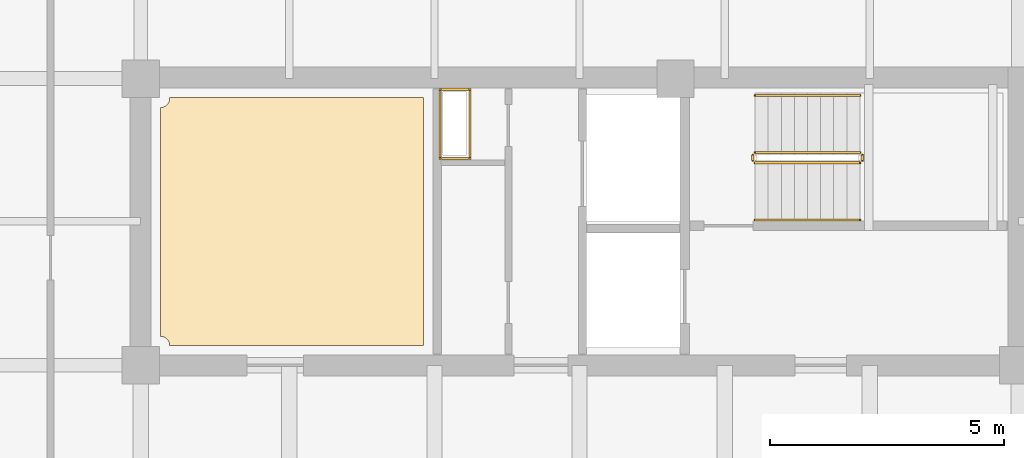
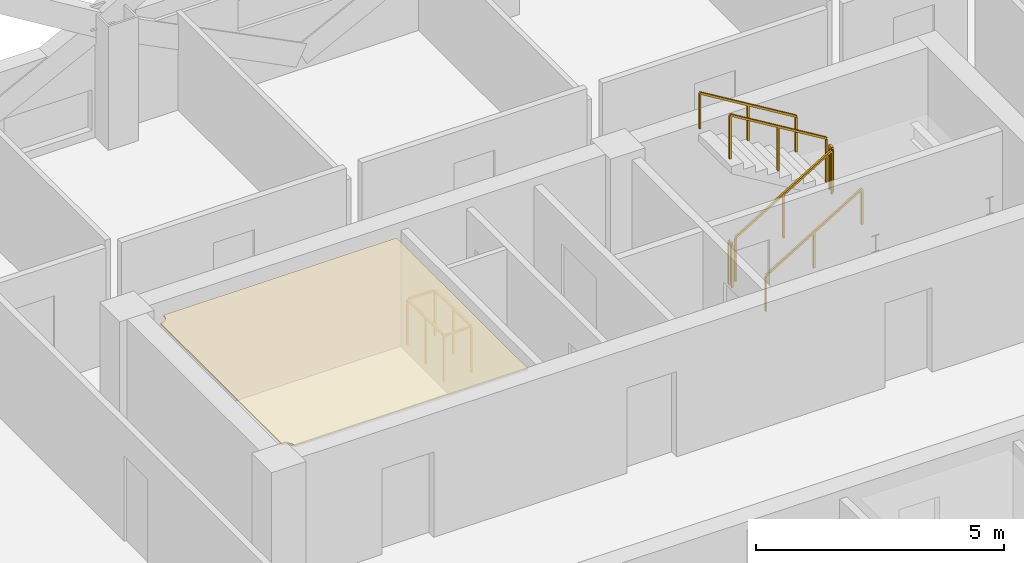
# One storey, part 8 of 9: 7 railings, 1 covering.
"""IFC4 building model written with IfcOpenShell, lengths in metres."""

from ifc_helpers import new_model, si_unit, direction, frame, origin, origin_2d, place, context, subcontext, project, spatial, polyline, rectangle, outline, extrude, material, layer, layer_set, type_object, element, save


model = new_model("IFC4")

# Units and contexts
model_context = context("Model", 3, precision=1e-05, world=origin(), true_north=direction((0.0, 1.0)))
body_context = subcontext(model_context, "Body", "Model", "MODEL_VIEW")
ifc_project = project(units=[si_unit("LENGTHUNIT", "METRE"), si_unit("AREAUNIT", "SQUARE_METRE"), si_unit("VOLUMEUNIT", "CUBIC_METRE"), si_unit("PLANEANGLEUNIT", "RADIAN"), si_unit("MASSUNIT", "GRAM", prefix="KILO")], contexts=[model_context])

# Site, building, storey
site_placement = place(None, origin())
site = spatial("IfcSite", under=ifc_project, at=site_placement, CompositionType="ELEMENT")
building_placement = place(site_placement, origin())
building = spatial("IfcBuilding", under=site, at=building_placement, Name="Qhalaya Broadcast Tower", CompositionType="ELEMENT")
storey_placement = place(building_placement, frame((0.0, 0.0, 211.699951171875)))
storey = spatial("IfcBuildingStorey", under=building, at=storey_placement, Name="L62", CompositionType="ELEMENT", Elevation=211.699951171875)

# Covering
ifc_material_1 = material(Name="Acoustic Mineral-Fibre Ceiling")
ifc_layer = layer(ifc_material_1, 0.0400390625, Name="Acoustic Mineral-Fibre Ceiling")
ifc_layer_set = layer_set([ifc_layer], Name="Acoustic Mineral-Fibre Ceiling")
covering_type = type_object("IfcCoveringType", Name="Acoustic Mineral-Fibre Suspended Ceiling CLG-01", PredefinedType="CEILING", material=ifc_layer_set)
covering_placement = place(storey_placement, frame((0.0, 0.0, 2.820068359375)))
element("IfcCovering", 1, at=covering_placement, inside=storey, type_object=covering_type, Name="L62 Acoustic Suspended Ceiling 01", PredefinedType="CEILING", context=body_context, shape_type="SweptSolid", body=[
    extrude(outline(polyline([(-8.756103515625, 4.2646484375), (-8.755126953125, 4.25), (-3.330078125, 4.25), (-3.330078125, 9.550048828125), (-8.7548828125, 9.550048828125), (-8.7548828125, 9.530029296875), (-8.756103515625, 9.510498046875), (-8.7587890625, 9.490966796875), (-8.763671875, 9.471923828125), (-8.770263671875, 9.45361328125), (-8.778564453125, 9.435791015625), (-8.788818359375, 9.4189453125), (-8.80029296875, 9.403076171875), (-8.813720703125, 9.388671875), (-8.828125, 9.37548828125), (-8.843994140625, 9.36376953125), (-8.860595703125, 9.353515625), (-8.87841796875, 9.34521484375), (-8.89697265625, 9.338623046875), (-8.916015625, 9.333740234375), (-8.935302734375, 9.3310546875), (-8.949951171875, 9.330078125), (-8.949951171875, 4.44482421875), (-8.935302734375, 4.444091796875), (-8.916015625, 4.441162109375), (-8.89697265625, 4.436279296875), (-8.87841796875, 4.4296875), (-8.860595703125, 4.42138671875), (-8.843994140625, 4.411376953125), (-8.828125, 4.399658203125), (-8.813720703125, 4.386474609375), (-8.80029296875, 4.371826171875), (-8.788818359375, 4.356201171875), (-8.778564453125, 4.33935546875), (-8.770263671875, 4.321533203125), (-8.763671875, 4.302978515625), (-8.7587890625, 4.283935546875), (-8.756103515625, 4.2646484375)])), origin(), (0.0, 0.0, 1.0), 0.0400390625),
])

# Railings
ifc_material_2 = material(Name="Powder-Coated Galvanised Steel", Category="steel")
railing_type_1 = type_object("IfcRailingType", Name="Stair Wall Handrail 900", PredefinedType="HANDRAIL", material=ifc_material_2)
railing_1_placement = place(storey_placement, frame((3.75, 6.929931640625, 0.16943359375)))
element("IfcRailing", 2, at=railing_1_placement, inside=storey, type_object=railing_type_1, Name="L62 ST-1 Stair Handrail 1", PredefinedType="HANDRAIL", context=body_context, shape_type="SweptSolid", body=[
    extrude(rectangle(XDim=0.048095703125, YDim=0.048095703125, at=origin_2d()), frame((0.0, 0.0, 0.8759765625), z_axis=(0.855512035549, 0.0, 0.517782924622), x_axis=(0.0, 1.0, 0.0)), (0.0, 0.0, 1.0), 2.618408203125),
    extrude(rectangle(XDim=0.0419921875, YDim=0.0419921875, at=origin_2d()), origin(), (0.0, 0.0, 1.0), 0.849853515625),
    extrude(rectangle(XDim=0.0419921875, YDim=0.0419921875, at=origin_2d()), frame((1.1201171875, 0.0, 0.677734375)), (0.0, 0.0, 1.0), 0.849853515625),
    extrude(rectangle(XDim=0.0419921875, YDim=0.0419921875, at=origin_2d()), frame((2.239990234375, 0.0, 1.355712890625)), (0.0, 0.0, 1.0), 0.849853515625),
])
railing_2_placement = place(storey_placement, frame((5.989990234375, 9.590087890625, 1.694580078125)))
element("IfcRailing", 3, at=railing_2_placement, inside=storey, type_object=railing_type_1, Name="L62 ST-1 Stair Handrail 2", PredefinedType="HANDRAIL", context=body_context, shape_type="SweptSolid", body=[
    extrude(rectangle(XDim=0.048095703125, YDim=0.048095703125, at=origin_2d()), frame((0.0, 0.0, 0.8759765625), z_axis=(-0.855553338991, 0.0, 0.51771467445), x_axis=(0.0, -1.0, 0.0)), (0.0, 0.0, 1.0), 2.6181640625),
    extrude(rectangle(XDim=0.0419921875, YDim=0.0419921875, at=origin_2d()), origin(), (0.0, 0.0, 1.0), 0.849853515625),
    extrude(rectangle(XDim=0.0419921875, YDim=0.0419921875, at=origin_2d()), frame((-1.1201171875, 0.0, 0.677734375)), (0.0, 0.0, 1.0), 0.849853515625),
    extrude(rectangle(XDim=0.0419921875, YDim=0.0419921875, at=origin_2d()), frame((-2.239990234375, 0.0, 1.35546875)), (0.0, 0.0, 1.0), 0.849853515625),
])
railing_type_2 = type_object("IfcRailingType", Name="Stair Well & Landing Guardrail 1100", PredefinedType="GUARDRAIL", material=ifc_material_2)
railing_3_placement = place(storey_placement, frame((-2.340087890625, 8.239990234375, 0.0)))
element("IfcRailing", 4, at=railing_3_placement, inside=storey, type_object=railing_type_2, Name="L62 Service Riser Opening Safety Guard NRSR", PredefinedType="GUARDRAIL", context=body_context, shape_type="SweptSolid", body=[
    extrude(rectangle(XDim=0.048095703125, YDim=0.048095703125, at=origin_2d()), frame((0.0, 0.02880859375, 1.1259765625), z_axis=(0.0, 1.0, 0.0), x_axis=(-1.0, 0.0, 0.0)), (0.0, 0.0, 1.0), 1.42236328125),
    extrude(rectangle(XDim=0.048095703125, YDim=0.048095703125, at=origin_2d()), frame((-0.02880859375, 1.47998046875, 1.1259765625), z_axis=(-1.0, 0.0, 0.0), x_axis=(0.0, -1.0, 0.0)), (0.0, 0.0, 1.0), 0.582275390625),
    extrude(rectangle(XDim=0.048095703125, YDim=0.048095703125, at=origin_2d()), frame((-0.639892578125, 1.451171875, 1.1259765625), z_axis=(0.0, -1.0, 0.0), x_axis=(1.0, 0.0, 0.0)), (0.0, 0.0, 1.0), 1.42236328125),
    extrude(rectangle(XDim=0.048095703125, YDim=0.048095703125, at=origin_2d()), frame((-0.611083984375, 0.0, 1.1259765625), z_axis=(1.0, 0.0, 0.0), x_axis=(0.0, 1.0, 0.0)), (0.0, 0.0, 1.0), 0.582275390625),
    extrude(rectangle(XDim=0.0419921875, YDim=0.0419921875, at=origin_2d()), origin(), (0.0, 0.0, 1.0), 1.099853515625),
    extrude(rectangle(XDim=0.0419921875, YDim=0.0419921875, at=origin_2d()), frame((0.0, 0.739990234375, 0.0)), (0.0, 0.0, 1.0), 1.099853515625),
    extrude(rectangle(XDim=0.0419921875, YDim=0.0419921875, at=origin_2d()), frame((0.0, 1.47998046875, 0.0)), (0.0, 0.0, 1.0), 1.099853515625),
    extrude(rectangle(XDim=0.0419921875, YDim=0.0419921875, at=origin_2d()), frame((-0.639892578125, 1.47998046875, 0.0)), (0.0, 0.0, 1.0), 1.099853515625),
    extrude(rectangle(XDim=0.0419921875, YDim=0.0419921875, at=origin_2d()), frame((-0.639892578125, 0.739990234375, 0.0)), (0.0, 0.0, 1.0), 1.099853515625),
    extrude(rectangle(XDim=0.0419921875, YDim=0.0419921875, at=origin_2d()), frame((-0.639892578125, 0.0, 0.0)), (0.0, 0.0, 1.0), 1.099853515625),
])
railing_4_placement = place(storey_placement, frame((3.75, 8.14990234375, 0.16943359375)))
element("IfcRailing", 5, at=railing_4_placement, inside=storey, type_object=railing_type_2, Name="L62 ST-1 Stair Guard 1", PredefinedType="GUARDRAIL", context=body_context, shape_type="SweptSolid", body=[
    extrude(rectangle(XDim=0.048095703125, YDim=0.048095703125, at=origin_2d()), frame((0.0, 0.0, 1.076171875), z_axis=(0.855512035549, 0.0, 0.517782924622), x_axis=(0.0, 1.0, 0.0)), (0.0, 0.0, 1.0), 2.618408203125),
    extrude(rectangle(XDim=0.0419921875, YDim=0.0419921875, at=origin_2d()), origin(), (0.0, 0.0, 1.0), 1.050048828125),
    extrude(rectangle(XDim=0.0419921875, YDim=0.0419921875, at=origin_2d()), frame((1.1201171875, 0.0, 0.677734375)), (0.0, 0.0, 1.0), 1.050048828125),
    extrude(rectangle(XDim=0.0419921875, YDim=0.0419921875, at=origin_2d()), frame((2.239990234375, 0.0, 1.355712890625)), (0.0, 0.0, 1.0), 1.050048828125),
])
railing_5_placement = place(storey_placement, frame((6.0400390625, 8.199951171875, 1.525146484375)))
element("IfcRailing", 6, at=railing_5_placement, inside=storey, type_object=railing_type_2, Name="L62 ST-1 Stair Guard 2", PredefinedType="GUARDRAIL", context=body_context, shape_type="SweptSolid", body=[
    extrude(rectangle(XDim=0.048095703125, YDim=0.048095703125, at=origin_2d()), frame((0.0, 0.0, 1.076171875), z_axis=(0.0, 1.0, 0.0), x_axis=(-1.0, 0.0, 0.0)), (0.0, 0.0, 1.0), 0.1201171875),
    extrude(rectangle(XDim=0.0419921875, YDim=0.0419921875, at=origin_2d()), origin(), (0.0, 0.0, 1.0), 1.050048828125),
    extrude(rectangle(XDim=0.0419921875, YDim=0.0419921875, at=origin_2d()), frame((0.0, 0.1201171875, 0.0)), (0.0, 0.0, 1.0), 1.050048828125),
])
railing_6_placement = place(storey_placement, frame((5.989990234375, 8.3701171875, 1.694580078125)))
element("IfcRailing", 7, at=railing_6_placement, inside=storey, type_object=railing_type_2, Name="L62 ST-1 Stair Guard 3", PredefinedType="GUARDRAIL", context=body_context, shape_type="SweptSolid", body=[
    extrude(rectangle(XDim=0.048095703125, YDim=0.048095703125, at=origin_2d()), frame((0.0, 0.0, 1.076171875), z_axis=(-0.855553338991, 0.0, 0.51771467445), x_axis=(0.0, -1.0, 0.0)), (0.0, 0.0, 1.0), 2.6181640625),
    extrude(rectangle(XDim=0.0419921875, YDim=0.0419921875, at=origin_2d()), origin(), (0.0, 0.0, 1.0), 1.050048828125),
    extrude(rectangle(XDim=0.0419921875, YDim=0.0419921875, at=origin_2d()), frame((-1.1201171875, 0.0, 0.677734375)), (0.0, 0.0, 1.0), 1.050048828125),
    extrude(rectangle(XDim=0.0419921875, YDim=0.0419921875, at=origin_2d()), frame((-2.239990234375, 0.0, 1.35546875)), (0.0, 0.0, 1.0), 1.050048828125),
])
railing_7_placement = place(storey_placement, frame((3.699951171875, 8.199951171875, 0.0)))
element("IfcRailing", 8, at=railing_7_placement, inside=storey, type_object=railing_type_2, Name="L62 ST-1 Stair Guard 4", PredefinedType="GUARDRAIL", context=body_context, shape_type="SweptSolid", body=[
    extrude(rectangle(XDim=0.048095703125, YDim=0.048095703125, at=origin_2d()), frame((0.0, 0.0, 1.076171875), z_axis=(0.0, 1.0, 0.0), x_axis=(-1.0, 0.0, 0.0)), (0.0, 0.0, 1.0), 0.1201171875),
    extrude(rectangle(XDim=0.0419921875, YDim=0.0419921875, at=origin_2d()), origin(), (0.0, 0.0, 1.0), 1.050048828125),
    extrude(rectangle(XDim=0.0419921875, YDim=0.0419921875, at=origin_2d()), frame((0.0, 0.1201171875, 0.0)), (0.0, 0.0, 1.0), 1.050048828125),
])

save(model, "model.ifc")
